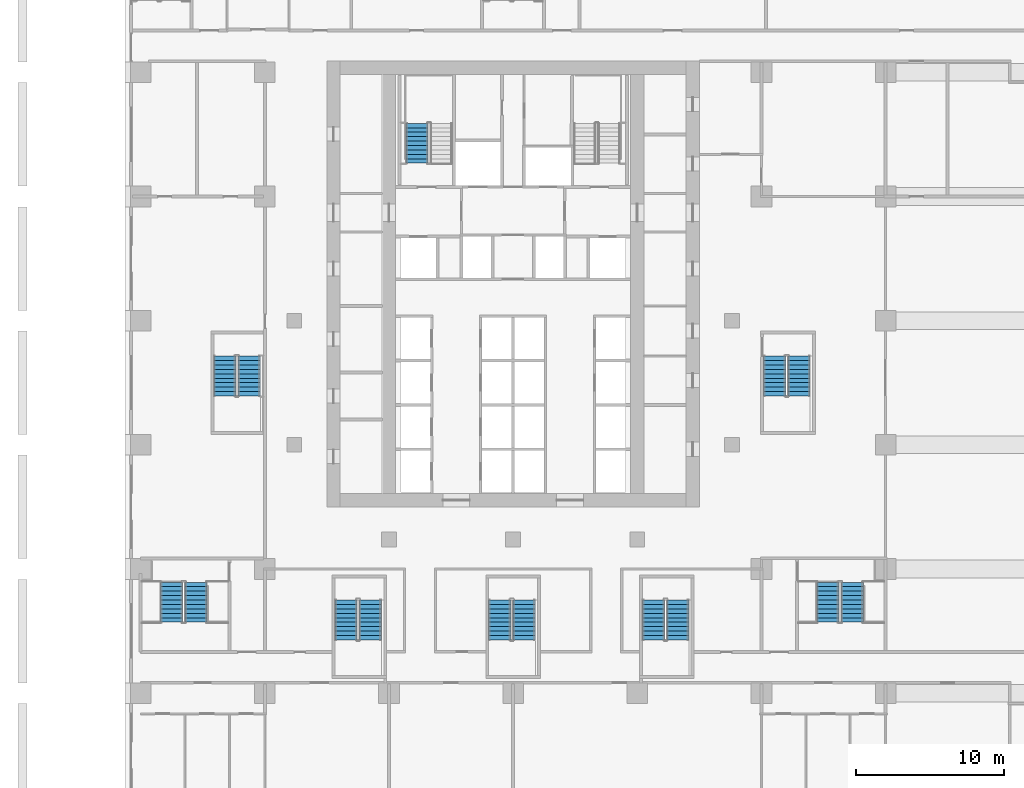
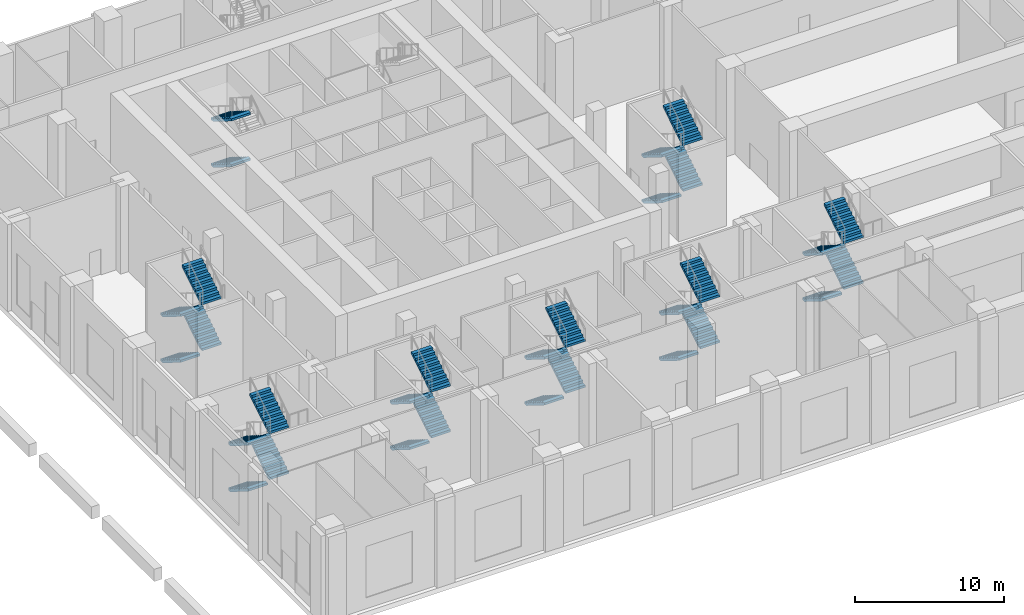
# One storey, part 15 of 29: 30 stair flights, 8 elements without a shape of their own.
"""IFC4 building model written with IfcOpenShell, lengths in metres."""

from ifc_helpers import new_model, si_unit, direction, frame, origin, place, context, subcontext, project, spatial, polyline, outline, extrude, material, type_object, element, aggregate, save


model = new_model("IFC4")

# Units and contexts
model_context = context("Model", 3, precision=1e-05, world=origin(), true_north=direction((0.0, 1.0)))
body_context = subcontext(model_context, "Body", "Model", "MODEL_VIEW")
ifc_project = project(units=[si_unit("LENGTHUNIT", "METRE"), si_unit("AREAUNIT", "SQUARE_METRE"), si_unit("VOLUMEUNIT", "CUBIC_METRE"), si_unit("PLANEANGLEUNIT", "RADIAN"), si_unit("MASSUNIT", "GRAM", prefix="KILO")], contexts=[model_context])

# Site, building, storey
site_placement = place(None, origin())
site = spatial("IfcSite", under=ifc_project, at=site_placement, CompositionType="ELEMENT")
building_placement = place(site_placement, origin())
building = spatial("IfcBuilding", under=site, at=building_placement, Name="Vermilion Ogive Tower", CompositionType="ELEMENT")
storey_placement = place(building_placement, frame((0.0, 0.0, 12.5)))
storey = spatial("IfcBuildingStorey", under=building, at=storey_placement, Name="L02", CompositionType="ELEMENT", Elevation=12.5)

# Stair, stair flights
ifc_material_1 = material(Name="Concrete B40", Category="concrete")
stair_type = type_object("IfcStairType", Name="Exit stair 1500", PredefinedType="HALF_TURN_STAIR", material=ifc_material_1)
stair_1_placement = place(storey_placement, origin())
stair_1 = element("IfcStair", 1, at=stair_1_placement, inside=storey, type_object=stair_type, Name="L02 Exit Stair ST1", PredefinedType="HALF_TURN_STAIR")
ifc_material_2 = material(Name="Concrete B40", Category="concrete")
stair_flight_type = type_object("IfcStairFlightType", Name="Stair flight 1500", PredefinedType="STRAIGHT", material=ifc_material_2)
stair_flight_1_placement = place(storey_placement, frame((-6.5, 17.550048828125, 1.875), z_axis=(0.0, 0.0, 1.0), x_axis=(0.0, -1.0, 0.0)))
stair_flight_1 = element("IfcStairFlight", 2, at=stair_flight_1_placement, type_object=stair_flight_type, Name="ST1 flight 2", NumberOfRisers=10, NumberOfTreads=9, PredefinedType="STRAIGHT", RiserHeight=0.1875, TreadLength=0.3, context=body_context, shape_type="SweptSolid", body=[
    extrude(outline(polyline([(0.0, 0.0), (0.0, 0.1875), (0.300048828125, 0.1875), (0.300048828125, 0.375), (0.60009765625, 0.375), (0.60009765625, 0.5625), (0.89990234375, 0.5625), (0.89990234375, 0.75), (1.199951171875, 0.75), (1.199951171875, 0.9375), (1.5, 0.9375), (1.5, 1.125), (1.800048828125, 1.125), (1.800048828125, 1.3125), (2.10009765625, 1.3125), (2.10009765625, 1.5), (2.39990234375, 1.5), (2.39990234375, 1.6875), (2.699951171875, 1.6875), (2.699951171875, 1.875), (2.699951171875, 1.5107421875), (0.28271484375, 0.0), (0.0, 0.0)])), frame((0.0, 0.75, 0.0), z_axis=(0.0, -1.0, 0.0), x_axis=(1.0, 0.0, 0.0)), (0.0, 0.0, 1.0), 1.5),
])
stair_flight_2_placement = place(storey_placement, frame((-6.5, 17.550048828125, 5.625), z_axis=(0.0, 0.0, 1.0), x_axis=(0.0, -1.0, 0.0)))
stair_flight_2 = element("IfcStairFlight", 3, at=stair_flight_2_placement, type_object=stair_flight_type, Name="ST1 flight 4", NumberOfRisers=10, NumberOfTreads=9, PredefinedType="STRAIGHT", RiserHeight=0.1875, TreadLength=0.3, context=body_context, shape_type="SweptSolid", body=[
    extrude(outline(polyline([(0.0, 0.0), (0.0, 0.1875), (0.300048828125, 0.1875), (0.300048828125, 0.375), (0.60009765625, 0.375), (0.60009765625, 0.5625), (0.89990234375, 0.5625), (0.89990234375, 0.75), (1.199951171875, 0.75), (1.199951171875, 0.9375), (1.5, 0.9375), (1.5, 1.125), (1.800048828125, 1.125), (1.800048828125, 1.3125), (2.10009765625, 1.3125), (2.10009765625, 1.5), (2.39990234375, 1.5), (2.39990234375, 1.6875), (2.699951171875, 1.6875), (2.699951171875, 1.875), (2.699951171875, 1.5107421875), (0.28271484375, 0.0), (0.0, 0.0)])), frame((0.0, 0.75, 0.0), z_axis=(0.0, -1.0, 0.0), x_axis=(1.0, 0.0, 0.0)), (0.0, 0.0, 1.0), 1.5),
])
aggregate(stair_1, [stair_flight_1, stair_flight_2])

stair_2_placement = place(storey_placement, origin())
stair_2 = element("IfcStair", 4, at=stair_2_placement, inside=storey, type_object=stair_type, Name="L02 Exit Stair ST3", PredefinedType="HALF_TURN_STAIR")
stair_flight_3_placement = place(storey_placement, frame((-11.300048828125, -14.699951171875, 0.0), z_axis=(0.0, 0.0, 1.0), x_axis=(0.0, -1.0, 0.0)))
stair_flight_3 = element("IfcStairFlight", 5, at=stair_flight_3_placement, type_object=stair_flight_type, Name="ST3 flight 1", NumberOfRisers=10, NumberOfTreads=9, PredefinedType="STRAIGHT", RiserHeight=0.1875, TreadLength=0.3, context=body_context, shape_type="SweptSolid", body=[
    extrude(outline(polyline([(0.0, 0.0), (0.0, 0.1875), (0.300048828125, 0.1875), (0.300048828125, 0.375), (0.60009765625, 0.375), (0.60009765625, 0.5625), (0.89990234375, 0.5625), (0.89990234375, 0.75), (1.199951171875, 0.75), (1.199951171875, 0.9375), (1.5, 0.9375), (1.5, 1.125), (1.800048828125, 1.125), (1.800048828125, 1.3125), (2.10009765625, 1.3125), (2.10009765625, 1.5), (2.39990234375, 1.5), (2.39990234375, 1.6875), (2.699951171875, 1.6875), (2.699951171875, 1.875), (2.699951171875, 1.5107421875), (0.28271484375, 0.0), (0.0, 0.0)])), frame((0.0, 0.75, 0.0), z_axis=(0.0, -1.0, 0.0), x_axis=(1.0, 0.0, 0.0)), (0.0, 0.0, 1.0), 1.5),
])
stair_flight_4_placement = place(storey_placement, frame((-9.64990234375, -17.39990234375, 1.875), z_axis=(0.0, 0.0, 1.0), x_axis=(0.0, 1.0, 0.0)))
stair_flight_4 = element("IfcStairFlight", 6, at=stair_flight_4_placement, type_object=stair_flight_type, Name="ST3 flight 2", NumberOfRisers=10, NumberOfTreads=9, PredefinedType="STRAIGHT", RiserHeight=0.1875, TreadLength=0.3, context=body_context, shape_type="SweptSolid", body=[
    extrude(outline(polyline([(0.0, 0.0), (0.0, 0.1875), (0.300048828125, 0.1875), (0.300048828125, 0.375), (0.60009765625, 0.375), (0.60009765625, 0.5625), (0.89990234375, 0.5625), (0.89990234375, 0.75), (1.199951171875, 0.75), (1.199951171875, 0.9375), (1.5, 0.9375), (1.5, 1.125), (1.800048828125, 1.125), (1.800048828125, 1.3125), (2.10009765625, 1.3125), (2.10009765625, 1.5), (2.39990234375, 1.5), (2.39990234375, 1.6875), (2.699951171875, 1.6875), (2.699951171875, 1.875), (2.699951171875, 1.5107421875), (0.28271484375, 0.0), (0.0, 0.0)])), frame((0.0, 0.75, 0.0), z_axis=(0.0, -1.0, 0.0), x_axis=(1.0, 0.0, 0.0)), (0.0, 0.0, 1.0), 1.5),
])
stair_flight_5_placement = place(storey_placement, frame((-11.300048828125, -14.699951171875, 3.75), z_axis=(0.0, 0.0, 1.0), x_axis=(0.0, -1.0, 0.0)))
stair_flight_5 = element("IfcStairFlight", 7, at=stair_flight_5_placement, type_object=stair_flight_type, Name="ST3 flight 3", NumberOfRisers=10, NumberOfTreads=9, PredefinedType="STRAIGHT", RiserHeight=0.1875, TreadLength=0.3, context=body_context, shape_type="SweptSolid", body=[
    extrude(outline(polyline([(0.0, 0.0), (0.0, 0.1875), (0.300048828125, 0.1875), (0.300048828125, 0.375), (0.60009765625, 0.375), (0.60009765625, 0.5625), (0.89990234375, 0.5625), (0.89990234375, 0.75), (1.199951171875, 0.75), (1.199951171875, 0.9375), (1.5, 0.9375), (1.5, 1.125), (1.800048828125, 1.125), (1.800048828125, 1.3125), (2.10009765625, 1.3125), (2.10009765625, 1.5), (2.39990234375, 1.5), (2.39990234375, 1.6875), (2.699951171875, 1.6875), (2.699951171875, 1.875), (2.699951171875, 1.5107421875), (0.28271484375, 0.0), (0.0, 0.0)])), frame((0.0, 0.75, 0.0), z_axis=(0.0, -1.0, 0.0), x_axis=(1.0, 0.0, 0.0)), (0.0, 0.0, 1.0), 1.5),
])
stair_flight_6_placement = place(storey_placement, frame((-9.64990234375, -17.39990234375, 5.625), z_axis=(0.0, 0.0, 1.0), x_axis=(0.0, 1.0, 0.0)))
stair_flight_6 = element("IfcStairFlight", 8, at=stair_flight_6_placement, type_object=stair_flight_type, Name="ST3 flight 4", NumberOfRisers=10, NumberOfTreads=9, PredefinedType="STRAIGHT", RiserHeight=0.1875, TreadLength=0.3, context=body_context, shape_type="SweptSolid", body=[
    extrude(outline(polyline([(0.0, 0.0), (0.0, 0.1875), (0.300048828125, 0.1875), (0.300048828125, 0.375), (0.60009765625, 0.375), (0.60009765625, 0.5625), (0.89990234375, 0.5625), (0.89990234375, 0.75), (1.199951171875, 0.75), (1.199951171875, 0.9375), (1.5, 0.9375), (1.5, 1.125), (1.800048828125, 1.125), (1.800048828125, 1.3125), (2.10009765625, 1.3125), (2.10009765625, 1.5), (2.39990234375, 1.5), (2.39990234375, 1.6875), (2.699951171875, 1.6875), (2.699951171875, 1.875), (2.699951171875, 1.5107421875), (0.28271484375, 0.0), (0.0, 0.0)])), frame((0.0, 0.75, 0.0), z_axis=(0.0, -1.0, 0.0), x_axis=(1.0, 0.0, 0.0)), (0.0, 0.0, 1.0), 1.5),
])
aggregate(stair_2, [stair_flight_3, stair_flight_4, stair_flight_5, stair_flight_6])

stair_3_placement = place(storey_placement, origin())
stair_3 = element("IfcStair", 9, at=stair_3_placement, inside=storey, type_object=stair_type, Name="L02 Exit Stair ST4", PredefinedType="HALF_TURN_STAIR")
stair_flight_7_placement = place(storey_placement, frame((-0.89990234375, -14.699951171875, 0.0), z_axis=(0.0, 0.0, 1.0), x_axis=(0.0, -1.0, 0.0)))
stair_flight_7 = element("IfcStairFlight", 10, at=stair_flight_7_placement, type_object=stair_flight_type, Name="ST4 flight 1", NumberOfRisers=10, NumberOfTreads=9, PredefinedType="STRAIGHT", RiserHeight=0.1875, TreadLength=0.3, context=body_context, shape_type="SweptSolid", body=[
    extrude(outline(polyline([(0.0, 0.0), (0.0, 0.1875), (0.300048828125, 0.1875), (0.300048828125, 0.375), (0.60009765625, 0.375), (0.60009765625, 0.5625), (0.89990234375, 0.5625), (0.89990234375, 0.75), (1.199951171875, 0.75), (1.199951171875, 0.9375), (1.5, 0.9375), (1.5, 1.125), (1.800048828125, 1.125), (1.800048828125, 1.3125), (2.10009765625, 1.3125), (2.10009765625, 1.5), (2.39990234375, 1.5), (2.39990234375, 1.6875), (2.699951171875, 1.6875), (2.699951171875, 1.875), (2.699951171875, 1.5107421875), (0.28271484375, 0.0), (0.0, 0.0)])), frame((0.0, 0.75, 0.0), z_axis=(0.0, -1.0, 0.0), x_axis=(1.0, 0.0, 0.0)), (0.0, 0.0, 1.0), 1.5),
])
stair_flight_8_placement = place(storey_placement, frame((0.75, -17.39990234375, 1.875), z_axis=(0.0, 0.0, 1.0), x_axis=(0.0, 1.0, 0.0)))
stair_flight_8 = element("IfcStairFlight", 11, at=stair_flight_8_placement, type_object=stair_flight_type, Name="ST4 flight 2", NumberOfRisers=10, NumberOfTreads=9, PredefinedType="STRAIGHT", RiserHeight=0.1875, TreadLength=0.3, context=body_context, shape_type="SweptSolid", body=[
    extrude(outline(polyline([(0.0, 0.0), (0.0, 0.1875), (0.300048828125, 0.1875), (0.300048828125, 0.375), (0.60009765625, 0.375), (0.60009765625, 0.5625), (0.89990234375, 0.5625), (0.89990234375, 0.75), (1.199951171875, 0.75), (1.199951171875, 0.9375), (1.5, 0.9375), (1.5, 1.125), (1.800048828125, 1.125), (1.800048828125, 1.3125), (2.10009765625, 1.3125), (2.10009765625, 1.5), (2.39990234375, 1.5), (2.39990234375, 1.6875), (2.699951171875, 1.6875), (2.699951171875, 1.875), (2.699951171875, 1.5107421875), (0.28271484375, 0.0), (0.0, 0.0)])), frame((0.0, 0.75, 0.0), z_axis=(0.0, -1.0, 0.0), x_axis=(1.0, 0.0, 0.0)), (0.0, 0.0, 1.0), 1.5),
])
stair_flight_9_placement = place(storey_placement, frame((-0.89990234375, -14.699951171875, 3.75), z_axis=(0.0, 0.0, 1.0), x_axis=(0.0, -1.0, 0.0)))
stair_flight_9 = element("IfcStairFlight", 12, at=stair_flight_9_placement, type_object=stair_flight_type, Name="ST4 flight 3", NumberOfRisers=10, NumberOfTreads=9, PredefinedType="STRAIGHT", RiserHeight=0.1875, TreadLength=0.3, context=body_context, shape_type="SweptSolid", body=[
    extrude(outline(polyline([(0.0, 0.0), (0.0, 0.1875), (0.300048828125, 0.1875), (0.300048828125, 0.375), (0.60009765625, 0.375), (0.60009765625, 0.5625), (0.89990234375, 0.5625), (0.89990234375, 0.75), (1.199951171875, 0.75), (1.199951171875, 0.9375), (1.5, 0.9375), (1.5, 1.125), (1.800048828125, 1.125), (1.800048828125, 1.3125), (2.10009765625, 1.3125), (2.10009765625, 1.5), (2.39990234375, 1.5), (2.39990234375, 1.6875), (2.699951171875, 1.6875), (2.699951171875, 1.875), (2.699951171875, 1.5107421875), (0.28271484375, 0.0), (0.0, 0.0)])), frame((0.0, 0.75, 0.0), z_axis=(0.0, -1.0, 0.0), x_axis=(1.0, 0.0, 0.0)), (0.0, 0.0, 1.0), 1.5),
])
stair_flight_10_placement = place(storey_placement, frame((0.75, -17.39990234375, 5.625), z_axis=(0.0, 0.0, 1.0), x_axis=(0.0, 1.0, 0.0)))
stair_flight_10 = element("IfcStairFlight", 13, at=stair_flight_10_placement, type_object=stair_flight_type, Name="ST4 flight 4", NumberOfRisers=10, NumberOfTreads=9, PredefinedType="STRAIGHT", RiserHeight=0.1875, TreadLength=0.3, context=body_context, shape_type="SweptSolid", body=[
    extrude(outline(polyline([(0.0, 0.0), (0.0, 0.1875), (0.300048828125, 0.1875), (0.300048828125, 0.375), (0.60009765625, 0.375), (0.60009765625, 0.5625), (0.89990234375, 0.5625), (0.89990234375, 0.75), (1.199951171875, 0.75), (1.199951171875, 0.9375), (1.5, 0.9375), (1.5, 1.125), (1.800048828125, 1.125), (1.800048828125, 1.3125), (2.10009765625, 1.3125), (2.10009765625, 1.5), (2.39990234375, 1.5), (2.39990234375, 1.6875), (2.699951171875, 1.6875), (2.699951171875, 1.875), (2.699951171875, 1.5107421875), (0.28271484375, 0.0), (0.0, 0.0)])), frame((0.0, 0.75, 0.0), z_axis=(0.0, -1.0, 0.0), x_axis=(1.0, 0.0, 0.0)), (0.0, 0.0, 1.0), 1.5),
])
aggregate(stair_3, [stair_flight_7, stair_flight_8, stair_flight_9, stair_flight_10])

stair_4_placement = place(storey_placement, origin())
stair_4 = element("IfcStair", 14, at=stair_4_placement, inside=storey, type_object=stair_type, Name="L02 Exit Stair ST5", PredefinedType="HALF_TURN_STAIR")
stair_flight_11_placement = place(storey_placement, frame((9.5, -14.699951171875, 0.0), z_axis=(0.0, 0.0, 1.0), x_axis=(0.0, -1.0, 0.0)))
stair_flight_11 = element("IfcStairFlight", 15, at=stair_flight_11_placement, type_object=stair_flight_type, Name="ST5 flight 1", NumberOfRisers=10, NumberOfTreads=9, PredefinedType="STRAIGHT", RiserHeight=0.1875, TreadLength=0.3, context=body_context, shape_type="SweptSolid", body=[
    extrude(outline(polyline([(0.0, 0.0), (0.0, 0.1875), (0.300048828125, 0.1875), (0.300048828125, 0.375), (0.60009765625, 0.375), (0.60009765625, 0.5625), (0.89990234375, 0.5625), (0.89990234375, 0.75), (1.199951171875, 0.75), (1.199951171875, 0.9375), (1.5, 0.9375), (1.5, 1.125), (1.800048828125, 1.125), (1.800048828125, 1.3125), (2.10009765625, 1.3125), (2.10009765625, 1.5), (2.39990234375, 1.5), (2.39990234375, 1.6875), (2.699951171875, 1.6875), (2.699951171875, 1.875), (2.699951171875, 1.5107421875), (0.28271484375, 0.0), (0.0, 0.0)])), frame((0.0, 0.75, 0.0), z_axis=(0.0, -1.0, 0.0), x_axis=(1.0, 0.0, 0.0)), (0.0, 0.0, 1.0), 1.5),
])
stair_flight_12_placement = place(storey_placement, frame((11.14990234375, -17.39990234375, 1.875), z_axis=(0.0, 0.0, 1.0), x_axis=(0.0, 1.0, 0.0)))
stair_flight_12 = element("IfcStairFlight", 16, at=stair_flight_12_placement, type_object=stair_flight_type, Name="ST5 flight 2", NumberOfRisers=10, NumberOfTreads=9, PredefinedType="STRAIGHT", RiserHeight=0.1875, TreadLength=0.3, context=body_context, shape_type="SweptSolid", body=[
    extrude(outline(polyline([(0.0, 0.0), (0.0, 0.1875), (0.300048828125, 0.1875), (0.300048828125, 0.375), (0.60009765625, 0.375), (0.60009765625, 0.5625), (0.89990234375, 0.5625), (0.89990234375, 0.75), (1.199951171875, 0.75), (1.199951171875, 0.9375), (1.5, 0.9375), (1.5, 1.125), (1.800048828125, 1.125), (1.800048828125, 1.3125), (2.10009765625, 1.3125), (2.10009765625, 1.5), (2.39990234375, 1.5), (2.39990234375, 1.6875), (2.699951171875, 1.6875), (2.699951171875, 1.875), (2.699951171875, 1.5107421875), (0.28271484375, 0.0), (0.0, 0.0)])), frame((0.0, 0.75, 0.0), z_axis=(0.0, -1.0, 0.0), x_axis=(1.0, 0.0, 0.0)), (0.0, 0.0, 1.0), 1.5),
])
stair_flight_13_placement = place(storey_placement, frame((9.5, -14.699951171875, 3.75), z_axis=(0.0, 0.0, 1.0), x_axis=(0.0, -1.0, 0.0)))
stair_flight_13 = element("IfcStairFlight", 17, at=stair_flight_13_placement, type_object=stair_flight_type, Name="ST5 flight 3", NumberOfRisers=10, NumberOfTreads=9, PredefinedType="STRAIGHT", RiserHeight=0.1875, TreadLength=0.3, context=body_context, shape_type="SweptSolid", body=[
    extrude(outline(polyline([(0.0, 0.0), (0.0, 0.1875), (0.300048828125, 0.1875), (0.300048828125, 0.375), (0.60009765625, 0.375), (0.60009765625, 0.5625), (0.89990234375, 0.5625), (0.89990234375, 0.75), (1.199951171875, 0.75), (1.199951171875, 0.9375), (1.5, 0.9375), (1.5, 1.125), (1.800048828125, 1.125), (1.800048828125, 1.3125), (2.10009765625, 1.3125), (2.10009765625, 1.5), (2.39990234375, 1.5), (2.39990234375, 1.6875), (2.699951171875, 1.6875), (2.699951171875, 1.875), (2.699951171875, 1.5107421875), (0.28271484375, 0.0), (0.0, 0.0)])), frame((0.0, 0.75, 0.0), z_axis=(0.0, -1.0, 0.0), x_axis=(1.0, 0.0, 0.0)), (0.0, 0.0, 1.0), 1.5),
])
stair_flight_14_placement = place(storey_placement, frame((11.14990234375, -17.39990234375, 5.625), z_axis=(0.0, 0.0, 1.0), x_axis=(0.0, 1.0, 0.0)))
stair_flight_14 = element("IfcStairFlight", 18, at=stair_flight_14_placement, type_object=stair_flight_type, Name="ST5 flight 4", NumberOfRisers=10, NumberOfTreads=9, PredefinedType="STRAIGHT", RiserHeight=0.1875, TreadLength=0.3, context=body_context, shape_type="SweptSolid", body=[
    extrude(outline(polyline([(0.0, 0.0), (0.0, 0.1875), (0.300048828125, 0.1875), (0.300048828125, 0.375), (0.60009765625, 0.375), (0.60009765625, 0.5625), (0.89990234375, 0.5625), (0.89990234375, 0.75), (1.199951171875, 0.75), (1.199951171875, 0.9375), (1.5, 0.9375), (1.5, 1.125), (1.800048828125, 1.125), (1.800048828125, 1.3125), (2.10009765625, 1.3125), (2.10009765625, 1.5), (2.39990234375, 1.5), (2.39990234375, 1.6875), (2.699951171875, 1.6875), (2.699951171875, 1.875), (2.699951171875, 1.5107421875), (0.28271484375, 0.0), (0.0, 0.0)])), frame((0.0, 0.75, 0.0), z_axis=(0.0, -1.0, 0.0), x_axis=(1.0, 0.0, 0.0)), (0.0, 0.0, 1.0), 1.5),
])
aggregate(stair_4, [stair_flight_11, stair_flight_12, stair_flight_13, stair_flight_14])

stair_5_placement = place(storey_placement, origin())
stair_5 = element("IfcStair", 19, at=stair_5_placement, inside=storey, type_object=stair_type, Name="L02 Exit Stair ST8", PredefinedType="HALF_TURN_STAIR")
stair_flight_15_placement = place(storey_placement, frame((17.699951171875, 1.800048828125, 0.0), z_axis=(0.0, 0.0, 1.0), x_axis=(0.0, -1.0, 0.0)))
stair_flight_15 = element("IfcStairFlight", 20, at=stair_flight_15_placement, type_object=stair_flight_type, Name="ST8 flight 1", NumberOfRisers=10, NumberOfTreads=9, PredefinedType="STRAIGHT", RiserHeight=0.1875, TreadLength=0.3, context=body_context, shape_type="SweptSolid", body=[
    extrude(outline(polyline([(0.0, 0.0), (0.0, 0.1875), (0.300048828125, 0.1875), (0.300048828125, 0.375), (0.60009765625, 0.375), (0.60009765625, 0.5625), (0.89990234375, 0.5625), (0.89990234375, 0.75), (1.199951171875, 0.75), (1.199951171875, 0.9375), (1.5, 0.9375), (1.5, 1.125), (1.800048828125, 1.125), (1.800048828125, 1.3125), (2.10009765625, 1.3125), (2.10009765625, 1.5), (2.39990234375, 1.5), (2.39990234375, 1.6875), (2.699951171875, 1.6875), (2.699951171875, 1.875), (2.699951171875, 1.5107421875), (0.28271484375, 0.0), (0.0, 0.0)])), frame((0.0, 0.75, 0.0), z_axis=(0.0, -1.0, 0.0), x_axis=(1.0, 0.0, 0.0)), (0.0, 0.0, 1.0), 1.5),
])
stair_flight_16_placement = place(storey_placement, frame((19.35009765625, -0.89990234375, 1.875), z_axis=(0.0, 0.0, 1.0), x_axis=(0.0, 1.0, 0.0)))
stair_flight_16 = element("IfcStairFlight", 21, at=stair_flight_16_placement, type_object=stair_flight_type, Name="ST8 flight 2", NumberOfRisers=10, NumberOfTreads=9, PredefinedType="STRAIGHT", RiserHeight=0.1875, TreadLength=0.3, context=body_context, shape_type="SweptSolid", body=[
    extrude(outline(polyline([(0.0, 0.0), (0.0, 0.1875), (0.300048828125, 0.1875), (0.300048828125, 0.375), (0.60009765625, 0.375), (0.60009765625, 0.5625), (0.89990234375, 0.5625), (0.89990234375, 0.75), (1.199951171875, 0.75), (1.199951171875, 0.9375), (1.5, 0.9375), (1.5, 1.125), (1.800048828125, 1.125), (1.800048828125, 1.3125), (2.10009765625, 1.3125), (2.10009765625, 1.5), (2.39990234375, 1.5), (2.39990234375, 1.6875), (2.699951171875, 1.6875), (2.699951171875, 1.875), (2.699951171875, 1.5107421875), (0.28271484375, 0.0), (0.0, 0.0)])), frame((0.0, 0.75, 0.0), z_axis=(0.0, -1.0, 0.0), x_axis=(1.0, 0.0, 0.0)), (0.0, 0.0, 1.0), 1.5),
])
stair_flight_17_placement = place(storey_placement, frame((17.699951171875, 1.800048828125, 3.75), z_axis=(0.0, 0.0, 1.0), x_axis=(0.0, -1.0, 0.0)))
stair_flight_17 = element("IfcStairFlight", 22, at=stair_flight_17_placement, type_object=stair_flight_type, Name="ST8 flight 3", NumberOfRisers=10, NumberOfTreads=9, PredefinedType="STRAIGHT", RiserHeight=0.1875, TreadLength=0.3, context=body_context, shape_type="SweptSolid", body=[
    extrude(outline(polyline([(0.0, 0.0), (0.0, 0.1875), (0.300048828125, 0.1875), (0.300048828125, 0.375), (0.60009765625, 0.375), (0.60009765625, 0.5625), (0.89990234375, 0.5625), (0.89990234375, 0.75), (1.199951171875, 0.75), (1.199951171875, 0.9375), (1.5, 0.9375), (1.5, 1.125), (1.800048828125, 1.125), (1.800048828125, 1.3125), (2.10009765625, 1.3125), (2.10009765625, 1.5), (2.39990234375, 1.5), (2.39990234375, 1.6875), (2.699951171875, 1.6875), (2.699951171875, 1.875), (2.699951171875, 1.5107421875), (0.28271484375, 0.0), (0.0, 0.0)])), frame((0.0, 0.75, 0.0), z_axis=(0.0, -1.0, 0.0), x_axis=(1.0, 0.0, 0.0)), (0.0, 0.0, 1.0), 1.5),
])
stair_flight_18_placement = place(storey_placement, frame((19.35009765625, -0.89990234375, 5.625), z_axis=(0.0, 0.0, 1.0), x_axis=(0.0, 1.0, 0.0)))
stair_flight_18 = element("IfcStairFlight", 23, at=stair_flight_18_placement, type_object=stair_flight_type, Name="ST8 flight 4", NumberOfRisers=10, NumberOfTreads=9, PredefinedType="STRAIGHT", RiserHeight=0.1875, TreadLength=0.3, context=body_context, shape_type="SweptSolid", body=[
    extrude(outline(polyline([(0.0, 0.0), (0.0, 0.1875), (0.300048828125, 0.1875), (0.300048828125, 0.375), (0.60009765625, 0.375), (0.60009765625, 0.5625), (0.89990234375, 0.5625), (0.89990234375, 0.75), (1.199951171875, 0.75), (1.199951171875, 0.9375), (1.5, 0.9375), (1.5, 1.125), (1.800048828125, 1.125), (1.800048828125, 1.3125), (2.10009765625, 1.3125), (2.10009765625, 1.5), (2.39990234375, 1.5), (2.39990234375, 1.6875), (2.699951171875, 1.6875), (2.699951171875, 1.875), (2.699951171875, 1.5107421875), (0.28271484375, 0.0), (0.0, 0.0)])), frame((0.0, 0.75, 0.0), z_axis=(0.0, -1.0, 0.0), x_axis=(1.0, 0.0, 0.0)), (0.0, 0.0, 1.0), 1.5),
])
aggregate(stair_5, [stair_flight_15, stair_flight_16, stair_flight_17, stair_flight_18])

stair_6_placement = place(storey_placement, origin())
stair_6 = element("IfcStair", 24, at=stair_6_placement, inside=storey, type_object=stair_type, Name="L02 Exit Stair ST9", PredefinedType="HALF_TURN_STAIR")
stair_flight_19_placement = place(storey_placement, frame((-19.5, 1.800048828125, 0.0), z_axis=(0.0, 0.0, 1.0), x_axis=(0.0, -1.0, 0.0)))
stair_flight_19 = element("IfcStairFlight", 25, at=stair_flight_19_placement, type_object=stair_flight_type, Name="ST9 flight 1", NumberOfRisers=10, NumberOfTreads=9, PredefinedType="STRAIGHT", RiserHeight=0.1875, TreadLength=0.3, context=body_context, shape_type="SweptSolid", body=[
    extrude(outline(polyline([(0.0, 0.0), (0.0, 0.1875), (0.300048828125, 0.1875), (0.300048828125, 0.375), (0.60009765625, 0.375), (0.60009765625, 0.5625), (0.89990234375, 0.5625), (0.89990234375, 0.75), (1.199951171875, 0.75), (1.199951171875, 0.9375), (1.5, 0.9375), (1.5, 1.125), (1.800048828125, 1.125), (1.800048828125, 1.3125), (2.10009765625, 1.3125), (2.10009765625, 1.5), (2.39990234375, 1.5), (2.39990234375, 1.6875), (2.699951171875, 1.6875), (2.699951171875, 1.875), (2.699951171875, 1.5107421875), (0.28271484375, 0.0), (0.0, 0.0)])), frame((0.0, 0.75, 0.0), z_axis=(0.0, -1.0, 0.0), x_axis=(1.0, 0.0, 0.0)), (0.0, 0.0, 1.0), 1.5),
])
stair_flight_20_placement = place(storey_placement, frame((-17.85009765625, -0.89990234375, 1.875), z_axis=(0.0, 0.0, 1.0), x_axis=(0.0, 1.0, 0.0)))
stair_flight_20 = element("IfcStairFlight", 26, at=stair_flight_20_placement, type_object=stair_flight_type, Name="ST9 flight 2", NumberOfRisers=10, NumberOfTreads=9, PredefinedType="STRAIGHT", RiserHeight=0.1875, TreadLength=0.3, context=body_context, shape_type="SweptSolid", body=[
    extrude(outline(polyline([(0.0, 0.0), (0.0, 0.1875), (0.300048828125, 0.1875), (0.300048828125, 0.375), (0.60009765625, 0.375), (0.60009765625, 0.5625), (0.89990234375, 0.5625), (0.89990234375, 0.75), (1.199951171875, 0.75), (1.199951171875, 0.9375), (1.5, 0.9375), (1.5, 1.125), (1.800048828125, 1.125), (1.800048828125, 1.3125), (2.10009765625, 1.3125), (2.10009765625, 1.5), (2.39990234375, 1.5), (2.39990234375, 1.6875), (2.699951171875, 1.6875), (2.699951171875, 1.875), (2.699951171875, 1.5107421875), (0.28271484375, 0.0), (0.0, 0.0)])), frame((0.0, 0.75, 0.0), z_axis=(0.0, -1.0, 0.0), x_axis=(1.0, 0.0, 0.0)), (0.0, 0.0, 1.0), 1.5),
])
stair_flight_21_placement = place(storey_placement, frame((-19.5, 1.800048828125, 3.75), z_axis=(0.0, 0.0, 1.0), x_axis=(0.0, -1.0, 0.0)))
stair_flight_21 = element("IfcStairFlight", 27, at=stair_flight_21_placement, type_object=stair_flight_type, Name="ST9 flight 3", NumberOfRisers=10, NumberOfTreads=9, PredefinedType="STRAIGHT", RiserHeight=0.1875, TreadLength=0.3, context=body_context, shape_type="SweptSolid", body=[
    extrude(outline(polyline([(0.0, 0.0), (0.0, 0.1875), (0.300048828125, 0.1875), (0.300048828125, 0.375), (0.60009765625, 0.375), (0.60009765625, 0.5625), (0.89990234375, 0.5625), (0.89990234375, 0.75), (1.199951171875, 0.75), (1.199951171875, 0.9375), (1.5, 0.9375), (1.5, 1.125), (1.800048828125, 1.125), (1.800048828125, 1.3125), (2.10009765625, 1.3125), (2.10009765625, 1.5), (2.39990234375, 1.5), (2.39990234375, 1.6875), (2.699951171875, 1.6875), (2.699951171875, 1.875), (2.699951171875, 1.5107421875), (0.28271484375, 0.0), (0.0, 0.0)])), frame((0.0, 0.75, 0.0), z_axis=(0.0, -1.0, 0.0), x_axis=(1.0, 0.0, 0.0)), (0.0, 0.0, 1.0), 1.5),
])
stair_flight_22_placement = place(storey_placement, frame((-17.85009765625, -0.89990234375, 5.625), z_axis=(0.0, 0.0, 1.0), x_axis=(0.0, 1.0, 0.0)))
stair_flight_22 = element("IfcStairFlight", 28, at=stair_flight_22_placement, type_object=stair_flight_type, Name="ST9 flight 4", NumberOfRisers=10, NumberOfTreads=9, PredefinedType="STRAIGHT", RiserHeight=0.1875, TreadLength=0.3, context=body_context, shape_type="SweptSolid", body=[
    extrude(outline(polyline([(0.0, 0.0), (0.0, 0.1875), (0.300048828125, 0.1875), (0.300048828125, 0.375), (0.60009765625, 0.375), (0.60009765625, 0.5625), (0.89990234375, 0.5625), (0.89990234375, 0.75), (1.199951171875, 0.75), (1.199951171875, 0.9375), (1.5, 0.9375), (1.5, 1.125), (1.800048828125, 1.125), (1.800048828125, 1.3125), (2.10009765625, 1.3125), (2.10009765625, 1.5), (2.39990234375, 1.5), (2.39990234375, 1.6875), (2.699951171875, 1.6875), (2.699951171875, 1.875), (2.699951171875, 1.5107421875), (0.28271484375, 0.0), (0.0, 0.0)])), frame((0.0, 0.75, 0.0), z_axis=(0.0, -1.0, 0.0), x_axis=(1.0, 0.0, 0.0)), (0.0, 0.0, 1.0), 1.5),
])
aggregate(stair_6, [stair_flight_19, stair_flight_20, stair_flight_21, stair_flight_22])

stair_7_placement = place(storey_placement, origin())
stair_7 = element("IfcStair", 29, at=stair_7_placement, inside=storey, type_object=stair_type, Name="L02 Exit Stair PS3", PredefinedType="HALF_TURN_STAIR")
stair_flight_23_placement = place(storey_placement, frame((21.300048828125, -13.5, 0.0), z_axis=(0.0, 0.0, 1.0), x_axis=(0.0, -1.0, 0.0)))
stair_flight_23 = element("IfcStairFlight", 30, at=stair_flight_23_placement, type_object=stair_flight_type, Name="PS3 flight 1", NumberOfRisers=10, NumberOfTreads=9, PredefinedType="STRAIGHT", RiserHeight=0.1875, TreadLength=0.3, context=body_context, shape_type="SweptSolid", body=[
    extrude(outline(polyline([(0.0, 0.0), (0.0, 0.1875), (0.300048828125, 0.1875), (0.300048828125, 0.375), (0.60009765625, 0.375), (0.60009765625, 0.5625), (0.89990234375, 0.5625), (0.89990234375, 0.75), (1.199951171875, 0.75), (1.199951171875, 0.9375), (1.5, 0.9375), (1.5, 1.125), (1.800048828125, 1.125), (1.800048828125, 1.3125), (2.10009765625, 1.3125), (2.10009765625, 1.5), (2.39990234375, 1.5), (2.39990234375, 1.6875), (2.699951171875, 1.6875), (2.699951171875, 1.875), (2.699951171875, 1.5107421875), (0.28271484375, 0.0), (0.0, 0.0)])), frame((0.0, 0.75, 0.0), z_axis=(0.0, -1.0, 0.0), x_axis=(1.0, 0.0, 0.0)), (0.0, 0.0, 1.0), 1.5),
])
stair_flight_24_placement = place(storey_placement, frame((22.949951171875, -16.199951171875, 1.875), z_axis=(0.0, 0.0, 1.0), x_axis=(0.0, 1.0, 0.0)))
stair_flight_24 = element("IfcStairFlight", 31, at=stair_flight_24_placement, type_object=stair_flight_type, Name="PS3 flight 2", NumberOfRisers=10, NumberOfTreads=9, PredefinedType="STRAIGHT", RiserHeight=0.1875, TreadLength=0.3, context=body_context, shape_type="SweptSolid", body=[
    extrude(outline(polyline([(0.0, 0.0), (0.0, 0.1875), (0.300048828125, 0.1875), (0.300048828125, 0.375), (0.60009765625, 0.375), (0.60009765625, 0.5625), (0.89990234375, 0.5625), (0.89990234375, 0.75), (1.199951171875, 0.75), (1.199951171875, 0.9375), (1.5, 0.9375), (1.5, 1.125), (1.800048828125, 1.125), (1.800048828125, 1.3125), (2.10009765625, 1.3125), (2.10009765625, 1.5), (2.39990234375, 1.5), (2.39990234375, 1.6875), (2.699951171875, 1.6875), (2.699951171875, 1.875), (2.699951171875, 1.5107421875), (0.28271484375, 0.0), (0.0, 0.0)])), frame((0.0, 0.75, 0.0), z_axis=(0.0, -1.0, 0.0), x_axis=(1.0, 0.0, 0.0)), (0.0, 0.0, 1.0), 1.5),
])
stair_flight_25_placement = place(storey_placement, frame((21.300048828125, -13.5, 3.75), z_axis=(0.0, 0.0, 1.0), x_axis=(0.0, -1.0, 0.0)))
stair_flight_25 = element("IfcStairFlight", 32, at=stair_flight_25_placement, type_object=stair_flight_type, Name="PS3 flight 3", NumberOfRisers=10, NumberOfTreads=9, PredefinedType="STRAIGHT", RiserHeight=0.1875, TreadLength=0.3, context=body_context, shape_type="SweptSolid", body=[
    extrude(outline(polyline([(0.0, 0.0), (0.0, 0.1875), (0.300048828125, 0.1875), (0.300048828125, 0.375), (0.60009765625, 0.375), (0.60009765625, 0.5625), (0.89990234375, 0.5625), (0.89990234375, 0.75), (1.199951171875, 0.75), (1.199951171875, 0.9375), (1.5, 0.9375), (1.5, 1.125), (1.800048828125, 1.125), (1.800048828125, 1.3125), (2.10009765625, 1.3125), (2.10009765625, 1.5), (2.39990234375, 1.5), (2.39990234375, 1.6875), (2.699951171875, 1.6875), (2.699951171875, 1.875), (2.699951171875, 1.5107421875), (0.28271484375, 0.0), (0.0, 0.0)])), frame((0.0, 0.75, 0.0), z_axis=(0.0, -1.0, 0.0), x_axis=(1.0, 0.0, 0.0)), (0.0, 0.0, 1.0), 1.5),
])
stair_flight_26_placement = place(storey_placement, frame((22.949951171875, -16.199951171875, 5.625), z_axis=(0.0, 0.0, 1.0), x_axis=(0.0, 1.0, 0.0)))
stair_flight_26 = element("IfcStairFlight", 33, at=stair_flight_26_placement, type_object=stair_flight_type, Name="PS3 flight 4", NumberOfRisers=10, NumberOfTreads=9, PredefinedType="STRAIGHT", RiserHeight=0.1875, TreadLength=0.3, context=body_context, shape_type="SweptSolid", body=[
    extrude(outline(polyline([(0.0, 0.0), (0.0, 0.1875), (0.300048828125, 0.1875), (0.300048828125, 0.375), (0.60009765625, 0.375), (0.60009765625, 0.5625), (0.89990234375, 0.5625), (0.89990234375, 0.75), (1.199951171875, 0.75), (1.199951171875, 0.9375), (1.5, 0.9375), (1.5, 1.125), (1.800048828125, 1.125), (1.800048828125, 1.3125), (2.10009765625, 1.3125), (2.10009765625, 1.5), (2.39990234375, 1.5), (2.39990234375, 1.6875), (2.699951171875, 1.6875), (2.699951171875, 1.875), (2.699951171875, 1.5107421875), (0.28271484375, 0.0), (0.0, 0.0)])), frame((0.0, 0.75, 0.0), z_axis=(0.0, -1.0, 0.0), x_axis=(1.0, 0.0, 0.0)), (0.0, 0.0, 1.0), 1.5),
])
aggregate(stair_7, [stair_flight_23, stair_flight_24, stair_flight_25, stair_flight_26])

stair_8_placement = place(storey_placement, origin())
stair_8 = element("IfcStair", 34, at=stair_8_placement, inside=storey, type_object=stair_type, Name="L02 Exit Stair PS4", PredefinedType="HALF_TURN_STAIR")
stair_flight_27_placement = place(storey_placement, frame((-23.10009765625, -13.5, 0.0), z_axis=(0.0, 0.0, 1.0), x_axis=(0.0, -1.0, 0.0)))
stair_flight_27 = element("IfcStairFlight", 35, at=stair_flight_27_placement, type_object=stair_flight_type, Name="PS4 flight 1", NumberOfRisers=10, NumberOfTreads=9, PredefinedType="STRAIGHT", RiserHeight=0.1875, TreadLength=0.3, context=body_context, shape_type="SweptSolid", body=[
    extrude(outline(polyline([(0.0, 0.0), (0.0, 0.1875), (0.300048828125, 0.1875), (0.300048828125, 0.375), (0.60009765625, 0.375), (0.60009765625, 0.5625), (0.89990234375, 0.5625), (0.89990234375, 0.75), (1.199951171875, 0.75), (1.199951171875, 0.9375), (1.5, 0.9375), (1.5, 1.125), (1.800048828125, 1.125), (1.800048828125, 1.3125), (2.10009765625, 1.3125), (2.10009765625, 1.5), (2.39990234375, 1.5), (2.39990234375, 1.6875), (2.699951171875, 1.6875), (2.699951171875, 1.875), (2.699951171875, 1.5107421875), (0.28271484375, 0.0), (0.0, 0.0)])), frame((0.0, 0.75, 0.0), z_axis=(0.0, -1.0, 0.0), x_axis=(1.0, 0.0, 0.0)), (0.0, 0.0, 1.0), 1.5),
])
stair_flight_28_placement = place(storey_placement, frame((-21.449951171875, -16.199951171875, 1.875), z_axis=(0.0, 0.0, 1.0), x_axis=(0.0, 1.0, 0.0)))
stair_flight_28 = element("IfcStairFlight", 36, at=stair_flight_28_placement, type_object=stair_flight_type, Name="PS4 flight 2", NumberOfRisers=10, NumberOfTreads=9, PredefinedType="STRAIGHT", RiserHeight=0.1875, TreadLength=0.3, context=body_context, shape_type="SweptSolid", body=[
    extrude(outline(polyline([(0.0, 0.0), (0.0, 0.1875), (0.300048828125, 0.1875), (0.300048828125, 0.375), (0.60009765625, 0.375), (0.60009765625, 0.5625), (0.89990234375, 0.5625), (0.89990234375, 0.75), (1.199951171875, 0.75), (1.199951171875, 0.9375), (1.5, 0.9375), (1.5, 1.125), (1.800048828125, 1.125), (1.800048828125, 1.3125), (2.10009765625, 1.3125), (2.10009765625, 1.5), (2.39990234375, 1.5), (2.39990234375, 1.6875), (2.699951171875, 1.6875), (2.699951171875, 1.875), (2.699951171875, 1.5107421875), (0.28271484375, 0.0), (0.0, 0.0)])), frame((0.0, 0.75, 0.0), z_axis=(0.0, -1.0, 0.0), x_axis=(1.0, 0.0, 0.0)), (0.0, 0.0, 1.0), 1.5),
])
stair_flight_29_placement = place(storey_placement, frame((-23.10009765625, -13.5, 3.75), z_axis=(0.0, 0.0, 1.0), x_axis=(0.0, -1.0, 0.0)))
stair_flight_29 = element("IfcStairFlight", 37, at=stair_flight_29_placement, type_object=stair_flight_type, Name="PS4 flight 3", NumberOfRisers=10, NumberOfTreads=9, PredefinedType="STRAIGHT", RiserHeight=0.1875, TreadLength=0.3, context=body_context, shape_type="SweptSolid", body=[
    extrude(outline(polyline([(0.0, 0.0), (0.0, 0.1875), (0.300048828125, 0.1875), (0.300048828125, 0.375), (0.60009765625, 0.375), (0.60009765625, 0.5625), (0.89990234375, 0.5625), (0.89990234375, 0.75), (1.199951171875, 0.75), (1.199951171875, 0.9375), (1.5, 0.9375), (1.5, 1.125), (1.800048828125, 1.125), (1.800048828125, 1.3125), (2.10009765625, 1.3125), (2.10009765625, 1.5), (2.39990234375, 1.5), (2.39990234375, 1.6875), (2.699951171875, 1.6875), (2.699951171875, 1.875), (2.699951171875, 1.5107421875), (0.28271484375, 0.0), (0.0, 0.0)])), frame((0.0, 0.75, 0.0), z_axis=(0.0, -1.0, 0.0), x_axis=(1.0, 0.0, 0.0)), (0.0, 0.0, 1.0), 1.5),
])
stair_flight_30_placement = place(storey_placement, frame((-21.449951171875, -16.199951171875, 5.625), z_axis=(0.0, 0.0, 1.0), x_axis=(0.0, 1.0, 0.0)))
stair_flight_30 = element("IfcStairFlight", 38, at=stair_flight_30_placement, type_object=stair_flight_type, Name="PS4 flight 4", NumberOfRisers=10, NumberOfTreads=9, PredefinedType="STRAIGHT", RiserHeight=0.1875, TreadLength=0.3, context=body_context, shape_type="SweptSolid", body=[
    extrude(outline(polyline([(0.0, 0.0), (0.0, 0.1875), (0.300048828125, 0.1875), (0.300048828125, 0.375), (0.60009765625, 0.375), (0.60009765625, 0.5625), (0.89990234375, 0.5625), (0.89990234375, 0.75), (1.199951171875, 0.75), (1.199951171875, 0.9375), (1.5, 0.9375), (1.5, 1.125), (1.800048828125, 1.125), (1.800048828125, 1.3125), (2.10009765625, 1.3125), (2.10009765625, 1.5), (2.39990234375, 1.5), (2.39990234375, 1.6875), (2.699951171875, 1.6875), (2.699951171875, 1.875), (2.699951171875, 1.5107421875), (0.28271484375, 0.0), (0.0, 0.0)])), frame((0.0, 0.75, 0.0), z_axis=(0.0, -1.0, 0.0), x_axis=(1.0, 0.0, 0.0)), (0.0, 0.0, 1.0), 1.5),
])
aggregate(stair_8, [stair_flight_27, stair_flight_28, stair_flight_29, stair_flight_30])

save(model, "model.ifc")
